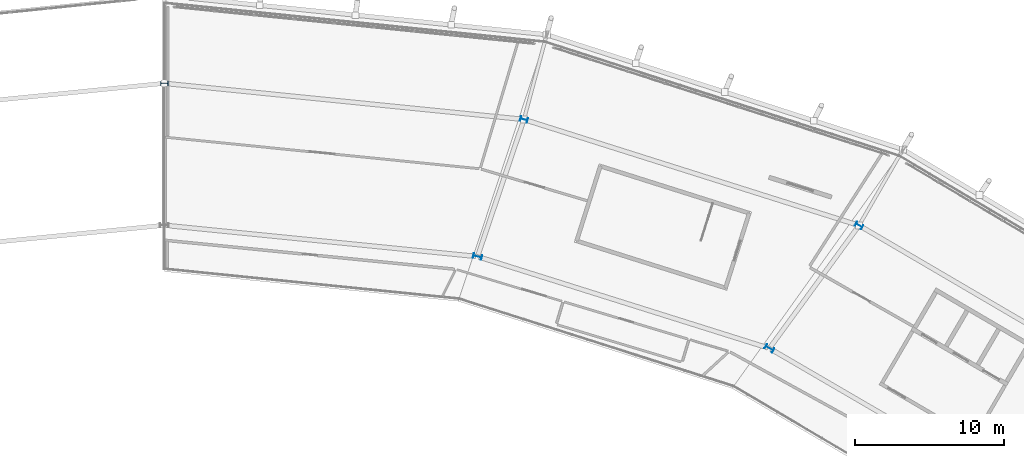
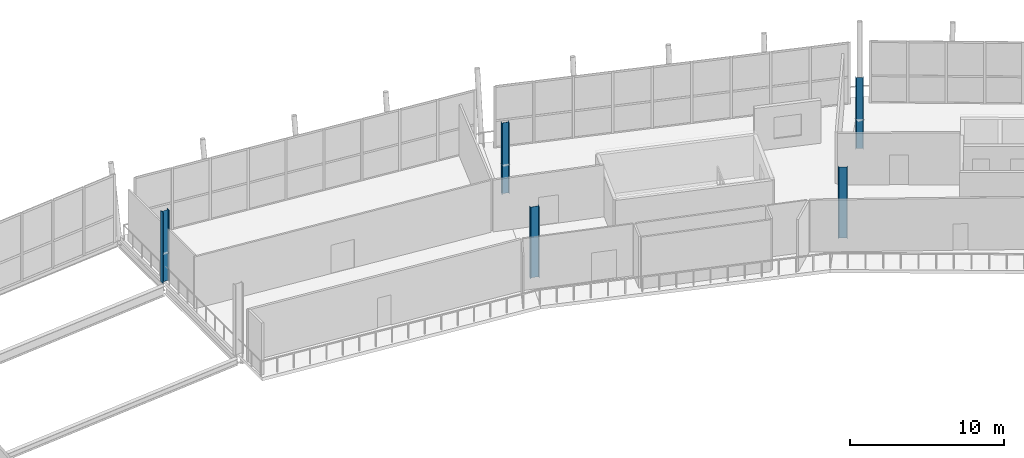
# One storey, part 11 of 99: 5 columns.
"""IFC4 building model written with IfcOpenShell, lengths in metres."""

import ifcopenshell
import ifcopenshell.guid

model = None  # the IFC model being written
_history = None  # IfcOwnerHistory: only IFC2X3 demands one
_inside = {}  # id of a spatial element -> (the spatial element, [elements in it])
_under = {}  # id of a project, library or spatial element -> (it, [spatial elements below it])
_declared = {}  # id of a project -> (the project, [libraries it declares])
_typed = {}  # id of a type object -> (the type object, [elements of that type])
_made_of = {}  # id of a material, layer set ... -> (it, [elements and type objects made of it])


def new_model(schema):
    """Start an empty IFC model of exactly this schema.

    Asked for "IFC4X3", IfcOpenShell would pick the latest addendum, in which some entities
    have other attributes; the version numbers below select the first issue.
    IFC2X3 requires an IfcOwnerHistory on every rooted entity: one is made here for all.
    """
    global model, _history
    if schema == "IFC4X3":
        model = ifcopenshell.file(schema_version=(4, 3, 0, 0))
    else:
        model = ifcopenshell.file(schema=schema)
    _inside.clear()
    _under.clear()
    _declared.clear()
    _typed.clear()
    _made_of.clear()
    _history = None
    if model.schema == "IFC2X3":
        org = make("IfcOrganization", Name="unknown")
        user = make(
            "IfcPersonAndOrganization",
            ThePerson=make("IfcPerson", FamilyName="unknown"),
            TheOrganization=org,
        )
        app = make(
            "IfcApplication",
            ApplicationDeveloper=org,
            Version="unknown",
            ApplicationFullName="unknown",
            ApplicationIdentifier="unknown",
        )
        _history = make(
            "IfcOwnerHistory",
            OwningUser=user,
            OwningApplication=app,
            ChangeAction="ADDED",
            CreationDate=0,
        )
    return model


def make(cls, **values):
    """One entity of the class cls with the attributes given. An attribute that is None is left unset."""
    return model.create_entity(
        cls, **{name: value for name, value in values.items() if value is not None}
    )


def rooted(cls, **values):
    """An entity with a GlobalId (a new one), such as an element, a storey or a relation."""
    return make(cls, GlobalId=ifcopenshell.guid.new(), OwnerHistory=_history, **values)


def si_unit(unit_type, name, prefix=None):
    """IfcSIUnit, for example si_unit("LENGTHUNIT", "METRE", prefix="MILLI")."""
    return make("IfcSIUnit", UnitType=unit_type, Prefix=prefix, Name=name)


def assignment(units):
    """IfcUnitAssignment: the units of a project."""
    return None if units is None else make("IfcUnitAssignment", Units=units)


def point(xyz):
    """IfcCartesianPoint."""
    return None if xyz is None else make("IfcCartesianPoint", Coordinates=xyz)


def direction(xyz):
    """IfcDirection."""
    return None if xyz is None else make("IfcDirection", DirectionRatios=xyz)


def frame(location, z_axis=None, x_axis=None):
    """IfcAxis2Placement3D, a coordinate frame: its origin and axes. An axis left out is left unset."""
    return make(
        "IfcAxis2Placement3D",
        Location=point(location),
        Axis=direction(z_axis),
        RefDirection=direction(x_axis),
    )


def frame_2d(location, x_axis=None):
    """IfcAxis2Placement2D, a coordinate frame in the plane: its origin and x axis."""
    return make(
        "IfcAxis2Placement2D", Location=point(location), RefDirection=direction(x_axis)
    )


def origin():
    """The frame at (0, 0, 0) with its axes left unset."""
    return frame((0.0, 0.0, 0.0))


def origin_2d():
    """The frame at (0, 0) in the plane with its x axis left unset."""
    return frame_2d((0.0, 0.0))


def place(relative_to, where):
    """IfcLocalPlacement: puts the frame where relative to a parent placement (None: the world)."""
    return make(
        "IfcLocalPlacement", PlacementRelTo=relative_to, RelativePlacement=where
    )


def context(
    kind, dimensions, precision=None, world=None, true_north=None, identifier=None
):
    """IfcGeometricRepresentationContext, for example the 3D "Model" context."""
    return make(
        "IfcGeometricRepresentationContext",
        ContextIdentifier=identifier,
        ContextType=kind,
        CoordinateSpaceDimension=dimensions,
        Precision=precision,
        WorldCoordinateSystem=world,
        TrueNorth=true_north,
    )


def subcontext(parent, identifier, kind, view, scale=None):
    """IfcGeometricRepresentationSubContext, for example "Body" below "Model"."""
    return make(
        "IfcGeometricRepresentationSubContext",
        ContextIdentifier=identifier,
        ContextType=kind,
        ParentContext=parent,
        TargetScale=scale,
        TargetView=view,
    )


def project(units=None, contexts=None):
    """IfcProject with its units and contexts."""
    return rooted(
        "IfcProject",
        Name="project",
        RepresentationContexts=contexts,
        UnitsInContext=assignment(units),
    )


def spatial(cls, under=None, at=None, **own):
    """A site, building, storey or space (cls), placed at a placement, below another one or the project."""
    s = rooted(cls, ObjectPlacement=at, **own)
    if under is not None:
        _under.setdefault(under.id(), (under, []))[1].append(s)
    return s


def profile(cls, at=None, kind="AREA", **sizes):
    """A parametric profile (cls). Its sizes go by their IFC names, for example OverallWidth=200.0."""
    return make(cls, ProfileType=kind, Position=at, **sizes)


def i_section(**sizes):
    """IfcIShapeProfileDef."""
    return profile("IfcIShapeProfileDef", **sizes)


def extrude(swept, where, along, depth):
    """IfcExtrudedAreaSolid: the profile swept, set in the frame where, extruded along a direction by depth."""
    return make(
        "IfcExtrudedAreaSolid",
        SweptArea=swept,
        Position=where,
        ExtrudedDirection=direction(along),
        Depth=depth,
    )


def shape(context_of_items, identifier, shape_type, items):
    """IfcShapeRepresentation: the items that make up one representation, for example the "Body"."""
    return make(
        "IfcShapeRepresentation",
        ContextOfItems=context_of_items,
        RepresentationIdentifier=identifier,
        RepresentationType=shape_type,
        Items=items,
    )


def material(Name=None, Category=None):
    """IfcMaterial."""
    return make("IfcMaterial", Name=Name, Category=Category)


def material_profile(
    of_material, cross_section, Name=None, Category=None, Priority=None
):
    """IfcMaterialProfile: a cross section and its material."""
    return make(
        "IfcMaterialProfile",
        Name=Name,
        Material=of_material,
        Profile=cross_section,
        Priority=Priority,
        Category=Category,
    )


def profile_set(profiles, Name=None, composite=None):
    """IfcMaterialProfileSet."""
    return make(
        "IfcMaterialProfileSet",
        Name=Name,
        MaterialProfiles=profiles,
        CompositeProfile=composite,
    )


def made_of(thing, what):
    """Note that an element or type object is made of a material, layer set ...; save() writes the relation."""
    if what is not None:
        _made_of.setdefault(what.id(), (what, []))[1].append(thing)
    return thing


def type_object(cls, material=None, **own):
    """A type object (cls), such as IfcWallType, which elements share."""
    return made_of(rooted(cls, **own), material)


def element(
    cls,
    number,
    at=None,
    inside=None,
    cuts=None,
    type_object=None,
    material=None,
    context=None,
    identifier="Body",
    shape_type=None,
    held_by="IfcProductDefinitionShape",
    body=None,
    shapes=None,
    **own,
):
    """One element of the class cls, such as IfcWall. Its Tag is "e" and its number.

    at: its placement. inside: the storey or other place that contains it. cuts: it is an
    opening in that element (IfcRelVoidsElement). A single representation is given by context,
    identifier, shape_type and body (its items); several are given by shapes. held_by: the class
    of the entity that holds the representations. save() writes the other relations.
    """
    e = rooted(cls, Tag="e%d" % number, ObjectPlacement=at, **own)
    if body is not None:
        shapes = [shape(context, identifier, shape_type, body)]
    if shapes is not None:
        e.Representation = make(held_by, Representations=shapes)
    if inside is not None:
        _inside.setdefault(inside.id(), (inside, []))[1].append(e)
    if cuts is not None:
        rooted(
            "IfcRelVoidsElement", RelatingBuildingElement=cuts, RelatedOpeningElement=e
        )
    if type_object is not None:
        _typed.setdefault(type_object.id(), (type_object, []))[1].append(e)
    return made_of(e, material)


def aggregate(whole, parts):
    """IfcRelAggregates: a whole, such as a stair, and the parts it consists of."""
    return rooted("IfcRelAggregates", RelatingObject=whole, RelatedObjects=parts)


def save(model, path):
    """Write the relations noted so far, then the file.

    IfcRelAggregates (storeys below a building ...), IfcRelContainedInSpatialStructure (elements
    in a storey), IfcRelDefinesByType, IfcRelAssociatesMaterial and IfcRelDeclares: one each for
    every whole, place, type object, material and project.
    """
    for whole, parts in _under.values():
        aggregate(whole, parts)
    for where, things in _inside.values():
        rooted(
            "IfcRelContainedInSpatialStructure",
            RelatedElements=things,
            RelatingStructure=where,
        )
    for kind, things in _typed.values():
        rooted("IfcRelDefinesByType", RelatedObjects=things, RelatingType=kind)
    for what, things in _made_of.values():
        rooted("IfcRelAssociatesMaterial", RelatedObjects=things, RelatingMaterial=what)
    for by, libraries in _declared.values():
        rooted("IfcRelDeclares", RelatingContext=by, RelatedDefinitions=libraries)
    model.write(path)


model = new_model("IFC4")

# Units and contexts
model_context = context("Model", 3, precision=1e-05, world=origin(), true_north=direction((0.0, 1.0)))
body_context = subcontext(model_context, "Body", "Model", "MODEL_VIEW")
ifc_project = project(units=[si_unit("LENGTHUNIT", "METRE"), si_unit("AREAUNIT", "SQUARE_METRE"), si_unit("VOLUMEUNIT", "CUBIC_METRE"), si_unit("PLANEANGLEUNIT", "RADIAN"), si_unit("MASSUNIT", "GRAM", prefix="KILO")], contexts=[model_context])

# Site, building, storey
site_placement = place(None, origin())
site = spatial("IfcSite", under=ifc_project, at=site_placement, CompositionType="ELEMENT")
building_placement = place(site_placement, origin())
building = spatial("IfcBuilding", under=site, at=building_placement, Name="Zlatoyarsky Gate Stadium", CompositionType="ELEMENT")
storey_placement = place(building_placement, frame((0.0, 0.0, 26.199951171875)))
storey = spatial("IfcBuildingStorey", under=building, at=storey_placement, Name="L05", CompositionType="ELEMENT", Elevation=26.199951171875)

# Columns
ifc_material = material(Name="Steel S355", Category="steel")
ifc_material_profile_1 = material_profile(ifc_material, i_section(OverallWidth=0.300048828125, OverallDepth=0.5, WebThickness=0.014404296875, FlangeThickness=0.028076171875, FilletRadius=0.027099609375, at=origin_2d()), Name="HEB 500")
ifc_profile_set_1 = profile_set([ifc_material_profile_1], Name="Steel S355")
column_type_1 = type_object("IfcColumnType", Name="STEEL COLUMN HEB 500", PredefinedType="COLUMN", material=ifc_profile_set_1)
for number, where, z_axis, x_axis, name in (
    (1, (157.5, 141.48779296875, 0.0), (0.0, 0.0, 1.0), (0.5, 0.866025403784, 0.0), "Column ST-C500 RC-04 on L05"),
    (2, (135.0703125, 148.580810546875, 0.0), (0.0, 0.0, 1.0), (0.258819045103, 0.965925826289, 0.0), "Column ST-C500 RC-05 on L05"),
    (3, (111.0, 151.0, 0.0), (0.0, 0.0, 1.0), (0.0, 1.0, 0.0), "Column ST-C500 RC-06 on L05"),
):
    element("IfcColumn", number, at=place(storey_placement, frame(where, z_axis=z_axis, x_axis=x_axis)), inside=storey, type_object=column_type_1, Name=name, PredefinedType="COLUMN", context=body_context, shape_type="SweptSolid", body=[
        extrude(i_section(OverallWidth=0.300048828125, OverallDepth=0.5, WebThickness=0.014404296875, FlangeThickness=0.028076171875, FilletRadius=0.027099609375, at=origin_2d()), origin(), (0.0, 0.0, 1.0), 5.60009765625),
    ])
ifc_material_profile_2 = material_profile(ifc_material, i_section(OverallWidth=0.300048828125, OverallDepth=0.60009765625, WebThickness=0.015380859375, FlangeThickness=0.030029296875, FilletRadius=0.027099609375, at=origin_2d()), Name="HEB 600")
ifc_profile_set_2 = profile_set([ifc_material_profile_2], Name="Steel S355")
column_type_2 = type_object("IfcColumnType", Name="STEEL COLUMN HEB 600", PredefinedType="COLUMN", material=ifc_profile_set_2)
for number, where, z_axis, x_axis, name in (
    (4, (151.5, 133.260498046875, 0.0), (0.0, 0.0, 1.0), (0.5, 0.866025403784, 0.0), "Column ST-C600 RB-04 on L05"),
    (5, (131.96435546875, 139.404296875, 0.0), (0.0, 0.0, 1.0), (0.258819045103, 0.965925826289, 0.0), "Column ST-C600 RB-05 on L05"),
):
    element("IfcColumn", number, at=place(storey_placement, frame(where, z_axis=z_axis, x_axis=x_axis)), inside=storey, type_object=column_type_2, Name=name, PredefinedType="COLUMN", context=body_context, shape_type="SweptSolid", body=[
        extrude(i_section(OverallWidth=0.300048828125, OverallDepth=0.60009765625, WebThickness=0.015380859375, FlangeThickness=0.030029296875, FilletRadius=0.027099609375, at=origin_2d()), origin(), (0.0, 0.0, 1.0), 5.60009765625),
    ])

save(model, "model.ifc")
